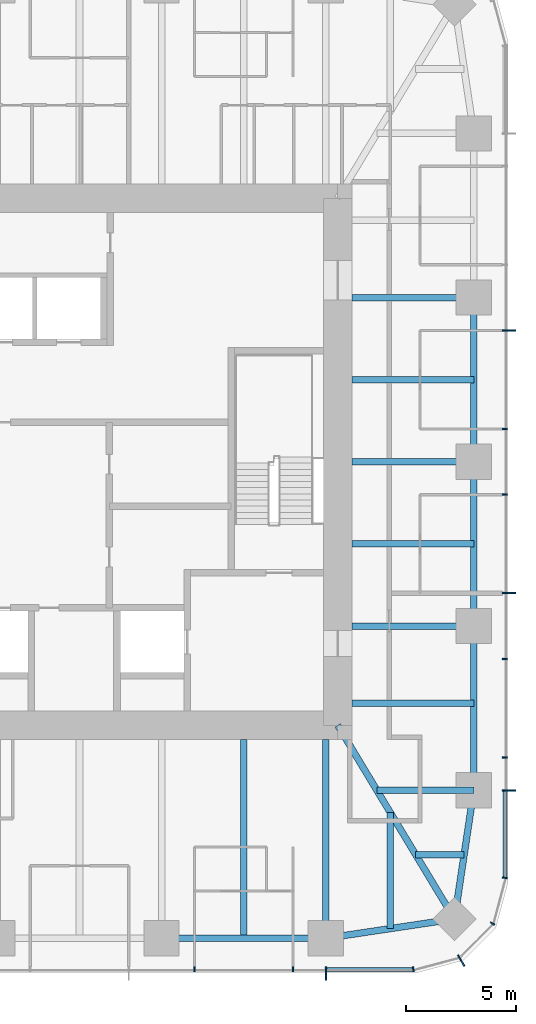
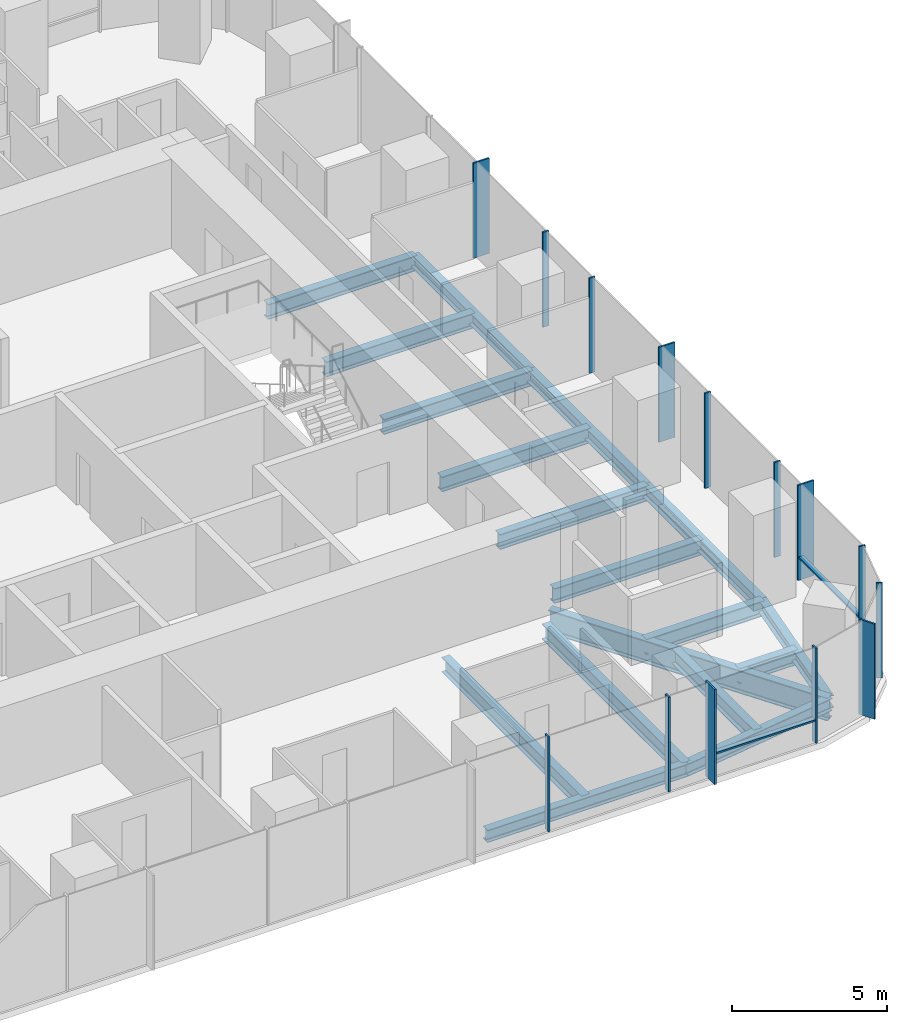
# One storey, part 4 of 12: 18 beams, 16 members, 3 elements without a shape of their own.
"""IFC4 building model written with IfcOpenShell, lengths in metres."""

import ifcopenshell
import ifcopenshell.guid

model = None  # the IFC model being written
_history = None  # IfcOwnerHistory: only IFC2X3 demands one
_inside = {}  # id of a spatial element -> (the spatial element, [elements in it])
_under = {}  # id of a project, library or spatial element -> (it, [spatial elements below it])
_declared = {}  # id of a project -> (the project, [libraries it declares])
_typed = {}  # id of a type object -> (the type object, [elements of that type])
_made_of = {}  # id of a material, layer set ... -> (it, [elements and type objects made of it])


def new_model(schema):
    """Start an empty IFC model of exactly this schema.

    Asked for "IFC4X3", IfcOpenShell would pick the latest addendum, in which some entities
    have other attributes; the version numbers below select the first issue.
    IFC2X3 requires an IfcOwnerHistory on every rooted entity: one is made here for all.
    """
    global model, _history
    if schema == "IFC4X3":
        model = ifcopenshell.file(schema_version=(4, 3, 0, 0))
    else:
        model = ifcopenshell.file(schema=schema)
    _inside.clear()
    _under.clear()
    _declared.clear()
    _typed.clear()
    _made_of.clear()
    _history = None
    if model.schema == "IFC2X3":
        org = make("IfcOrganization", Name="unknown")
        user = make(
            "IfcPersonAndOrganization",
            ThePerson=make("IfcPerson", FamilyName="unknown"),
            TheOrganization=org,
        )
        app = make(
            "IfcApplication",
            ApplicationDeveloper=org,
            Version="unknown",
            ApplicationFullName="unknown",
            ApplicationIdentifier="unknown",
        )
        _history = make(
            "IfcOwnerHistory",
            OwningUser=user,
            OwningApplication=app,
            ChangeAction="ADDED",
            CreationDate=0,
        )
    return model


def make(cls, **values):
    """One entity of the class cls with the attributes given. An attribute that is None is left unset."""
    return model.create_entity(
        cls, **{name: value for name, value in values.items() if value is not None}
    )


def rooted(cls, **values):
    """An entity with a GlobalId (a new one), such as an element, a storey or a relation."""
    return make(cls, GlobalId=ifcopenshell.guid.new(), OwnerHistory=_history, **values)


def si_unit(unit_type, name, prefix=None):
    """IfcSIUnit, for example si_unit("LENGTHUNIT", "METRE", prefix="MILLI")."""
    return make("IfcSIUnit", UnitType=unit_type, Prefix=prefix, Name=name)


def assignment(units):
    """IfcUnitAssignment: the units of a project."""
    return None if units is None else make("IfcUnitAssignment", Units=units)


def point(xyz):
    """IfcCartesianPoint."""
    return None if xyz is None else make("IfcCartesianPoint", Coordinates=xyz)


def direction(xyz):
    """IfcDirection."""
    return None if xyz is None else make("IfcDirection", DirectionRatios=xyz)


def frame(location, z_axis=None, x_axis=None):
    """IfcAxis2Placement3D, a coordinate frame: its origin and axes. An axis left out is left unset."""
    return make(
        "IfcAxis2Placement3D",
        Location=point(location),
        Axis=direction(z_axis),
        RefDirection=direction(x_axis),
    )


def frame_2d(location, x_axis=None):
    """IfcAxis2Placement2D, a coordinate frame in the plane: its origin and x axis."""
    return make(
        "IfcAxis2Placement2D", Location=point(location), RefDirection=direction(x_axis)
    )


def origin():
    """The frame at (0, 0, 0) with its axes left unset."""
    return frame((0.0, 0.0, 0.0))


def origin_2d():
    """The frame at (0, 0) in the plane with its x axis left unset."""
    return frame_2d((0.0, 0.0))


def place(relative_to, where):
    """IfcLocalPlacement: puts the frame where relative to a parent placement (None: the world)."""
    return make(
        "IfcLocalPlacement", PlacementRelTo=relative_to, RelativePlacement=where
    )


def context(
    kind, dimensions, precision=None, world=None, true_north=None, identifier=None
):
    """IfcGeometricRepresentationContext, for example the 3D "Model" context."""
    return make(
        "IfcGeometricRepresentationContext",
        ContextIdentifier=identifier,
        ContextType=kind,
        CoordinateSpaceDimension=dimensions,
        Precision=precision,
        WorldCoordinateSystem=world,
        TrueNorth=true_north,
    )


def subcontext(parent, identifier, kind, view, scale=None):
    """IfcGeometricRepresentationSubContext, for example "Body" below "Model"."""
    return make(
        "IfcGeometricRepresentationSubContext",
        ContextIdentifier=identifier,
        ContextType=kind,
        ParentContext=parent,
        TargetScale=scale,
        TargetView=view,
    )


def project(units=None, contexts=None):
    """IfcProject with its units and contexts."""
    return rooted(
        "IfcProject",
        Name="project",
        RepresentationContexts=contexts,
        UnitsInContext=assignment(units),
    )


def spatial(cls, under=None, at=None, **own):
    """A site, building, storey or space (cls), placed at a placement, below another one or the project."""
    s = rooted(cls, ObjectPlacement=at, **own)
    if under is not None:
        _under.setdefault(under.id(), (under, []))[1].append(s)
    return s


def profile(cls, at=None, kind="AREA", **sizes):
    """A parametric profile (cls). Its sizes go by their IFC names, for example OverallWidth=200.0."""
    return make(cls, ProfileType=kind, Position=at, **sizes)


def rectangle(**sizes):
    """IfcRectangleProfileDef."""
    return profile("IfcRectangleProfileDef", **sizes)


def i_section(**sizes):
    """IfcIShapeProfileDef."""
    return profile("IfcIShapeProfileDef", **sizes)


def extrude(swept, where, along, depth):
    """IfcExtrudedAreaSolid: the profile swept, set in the frame where, extruded along a direction by depth."""
    return make(
        "IfcExtrudedAreaSolid",
        SweptArea=swept,
        Position=where,
        ExtrudedDirection=direction(along),
        Depth=depth,
    )


def shape(context_of_items, identifier, shape_type, items):
    """IfcShapeRepresentation: the items that make up one representation, for example the "Body"."""
    return make(
        "IfcShapeRepresentation",
        ContextOfItems=context_of_items,
        RepresentationIdentifier=identifier,
        RepresentationType=shape_type,
        Items=items,
    )


def material(Name=None, Category=None):
    """IfcMaterial."""
    return make("IfcMaterial", Name=Name, Category=Category)


def material_profile(
    of_material, cross_section, Name=None, Category=None, Priority=None
):
    """IfcMaterialProfile: a cross section and its material."""
    return make(
        "IfcMaterialProfile",
        Name=Name,
        Material=of_material,
        Profile=cross_section,
        Priority=Priority,
        Category=Category,
    )


def profile_set(profiles, Name=None, composite=None):
    """IfcMaterialProfileSet."""
    return make(
        "IfcMaterialProfileSet",
        Name=Name,
        MaterialProfiles=profiles,
        CompositeProfile=composite,
    )


def made_of(thing, what):
    """Note that an element or type object is made of a material, layer set ...; save() writes the relation."""
    if what is not None:
        _made_of.setdefault(what.id(), (what, []))[1].append(thing)
    return thing


def type_object(cls, material=None, **own):
    """A type object (cls), such as IfcWallType, which elements share."""
    return made_of(rooted(cls, **own), material)


def element(
    cls,
    number,
    at=None,
    inside=None,
    cuts=None,
    type_object=None,
    material=None,
    context=None,
    identifier="Body",
    shape_type=None,
    held_by="IfcProductDefinitionShape",
    body=None,
    shapes=None,
    **own,
):
    """One element of the class cls, such as IfcWall. Its Tag is "e" and its number.

    at: its placement. inside: the storey or other place that contains it. cuts: it is an
    opening in that element (IfcRelVoidsElement). A single representation is given by context,
    identifier, shape_type and body (its items); several are given by shapes. held_by: the class
    of the entity that holds the representations. save() writes the other relations.
    """
    e = rooted(cls, Tag="e%d" % number, ObjectPlacement=at, **own)
    if body is not None:
        shapes = [shape(context, identifier, shape_type, body)]
    if shapes is not None:
        e.Representation = make(held_by, Representations=shapes)
    if inside is not None:
        _inside.setdefault(inside.id(), (inside, []))[1].append(e)
    if cuts is not None:
        rooted(
            "IfcRelVoidsElement", RelatingBuildingElement=cuts, RelatedOpeningElement=e
        )
    if type_object is not None:
        _typed.setdefault(type_object.id(), (type_object, []))[1].append(e)
    return made_of(e, material)


def aggregate(whole, parts):
    """IfcRelAggregates: a whole, such as a stair, and the parts it consists of."""
    return rooted("IfcRelAggregates", RelatingObject=whole, RelatedObjects=parts)


def save(model, path):
    """Write the relations noted so far, then the file.

    IfcRelAggregates (storeys below a building ...), IfcRelContainedInSpatialStructure (elements
    in a storey), IfcRelDefinesByType, IfcRelAssociatesMaterial and IfcRelDeclares: one each for
    every whole, place, type object, material and project.
    """
    for whole, parts in _under.values():
        aggregate(whole, parts)
    for where, things in _inside.values():
        rooted(
            "IfcRelContainedInSpatialStructure",
            RelatedElements=things,
            RelatingStructure=where,
        )
    for kind, things in _typed.values():
        rooted("IfcRelDefinesByType", RelatedObjects=things, RelatingType=kind)
    for what, things in _made_of.values():
        rooted("IfcRelAssociatesMaterial", RelatedObjects=things, RelatingMaterial=what)
    for by, libraries in _declared.values():
        rooted("IfcRelDeclares", RelatingContext=by, RelatedDefinitions=libraries)
    model.write(path)


model = new_model("IFC4")

# Units and contexts
model_context = context("Model", 3, precision=1e-05, world=origin(), true_north=direction((0.0, 1.0)))
body_context = subcontext(model_context, "Body", "Model", "MODEL_VIEW")
ifc_project = project(units=[si_unit("LENGTHUNIT", "METRE"), si_unit("AREAUNIT", "SQUARE_METRE"), si_unit("VOLUMEUNIT", "CUBIC_METRE"), si_unit("PLANEANGLEUNIT", "RADIAN"), si_unit("MASSUNIT", "GRAM", prefix="KILO")], contexts=[model_context])

# Site, building, storey
site_placement = place(None, origin())
site = spatial("IfcSite", under=ifc_project, at=site_placement, CompositionType="ELEMENT")
building_placement = place(site_placement, origin())
building = spatial("IfcBuilding", under=site, at=building_placement, Name="Khuree Lantern Residences", CompositionType="ELEMENT")
storey_placement = place(building_placement, frame((0.0, 0.0, 330.75)))
storey = spatial("IfcBuildingStorey", under=building, at=storey_placement, Name="L83", CompositionType="ELEMENT", Elevation=330.75)

# Beams
ifc_material_1 = material(Name="Steel S355", Category="steel")
ifc_material_profile_1 = material_profile(ifc_material_1, i_section(OverallWidth=0.300048828125, OverallDepth=0.590087890625, WebThickness=0.012939453125, FlangeThickness=0.02490234375, FilletRadius=0.027099609375, at=origin_2d()), Name="HE 600 A")
ifc_profile_set_1 = profile_set([ifc_material_profile_1], Name="Steel S355")
beam_type_1 = type_object("IfcBeamType", Name="B-44 SECONDARY BEAM HE 600 A", PredefinedType="BEAM", material=ifc_profile_set_1)
for number, where, z_axis, x_axis, name in (
    (1, (21.699951171875, 3.739990234375, -0.544921875), (-1.0, 0.0, 0.0), (0.0, -1.0, 0.0), "Secondary beam E3"),
    (2, (21.699951171875, -3.739990234375, -0.544921875), (-1.0, 0.0, 0.0), (0.0, -1.0, 0.0), "Secondary beam E4"),
    (3, (21.699951171875, -11.0, -0.544921875), (-1.0, 0.0, 0.0), (0.0, -1.0, 0.0), "Secondary beam E5"),
):
    element("IfcBeam", number, at=place(storey_placement, frame(where, z_axis=z_axis, x_axis=x_axis)), inside=storey, type_object=beam_type_1, Name=name, PredefinedType="BEAM", context=body_context, shape_type="SweptSolid", body=[
        extrude(i_section(OverallWidth=0.300048828125, OverallDepth=0.590087890625, WebThickness=0.012939453125, FlangeThickness=0.02490234375, FilletRadius=0.027099609375, at=origin_2d()), origin(), (0.0, 0.0, 1.0), 5.550048828125),
    ])
beam_1_placement = place(storey_placement, frame((21.2607421875, -17.890625, -0.544921875), z_axis=(-1.0, 0.0, 0.0), x_axis=(0.0, -1.0, 0.0)))
element("IfcBeam", 4, at=beam_1_placement, inside=storey, type_object=beam_type_1, Name="Secondary beam E6", PredefinedType="BEAM", context=body_context, shape_type="SweptSolid", body=[
    extrude(i_section(OverallWidth=0.300048828125, OverallDepth=0.590087890625, WebThickness=0.012939453125, FlangeThickness=0.02490234375, FilletRadius=0.027099609375, at=origin_2d()), origin(), (0.0, 0.0, 1.0), 2.207275390625),
])
beam_2_placement = place(storey_placement, frame((17.890625, -21.2607421875, -0.544921875), z_axis=(0.0, 1.0, 0.0), x_axis=(-1.0, 0.0, 0.0)))
element("IfcBeam", 5, at=beam_2_placement, inside=storey, type_object=beam_type_1, Name="Secondary beam S1", PredefinedType="BEAM", context=body_context, shape_type="SweptSolid", body=[
    extrude(i_section(OverallWidth=0.300048828125, OverallDepth=0.590087890625, WebThickness=0.012939453125, FlangeThickness=0.02490234375, FilletRadius=0.027099609375, at=origin_2d()), origin(), (0.0, 0.0, 1.0), 5.297607421875),
])
beam_3_placement = place(storey_placement, frame((11.219970703125, -21.699951171875, -0.544921875), z_axis=(0.0, 1.0, 0.0), x_axis=(-1.0, 0.0, 0.0)))
element("IfcBeam", 6, at=beam_3_placement, inside=storey, type_object=beam_type_1, Name="Secondary beam S2", PredefinedType="BEAM", context=body_context, shape_type="SweptSolid", body=[
    extrude(i_section(OverallWidth=0.300048828125, OverallDepth=0.590087890625, WebThickness=0.012939453125, FlangeThickness=0.02490234375, FilletRadius=0.027099609375, at=origin_2d()), origin(), (0.0, 0.0, 1.0), 9.050048828125),
])
ifc_material_profile_2 = material_profile(ifc_material_1, i_section(OverallWidth=0.300048828125, OverallDepth=0.489990234375, WebThickness=0.011962890625, FlangeThickness=0.02294921875, FilletRadius=0.027099609375, at=origin_2d()), Name="HE 500 A")
ifc_profile_set_2 = profile_set([ifc_material_profile_2], Name="Steel S355")
beam_type_2 = type_object("IfcBeamType", Name="E-44 SPANDREL BEAM HE 500 A", PredefinedType="SPANDREL", material=ifc_profile_set_2)
for number, where, z_axis, x_axis, name in (
    (7, (21.699951171875, 7.47998046875, -0.4951171875), (0.0, -1.0, 0.0), (1.0, 0.0, 0.0), "Spandrel beam E3"),
    (8, (21.699951171875, 0.0, -0.4951171875), (0.0, -1.0, 0.0), (1.0, 0.0, 0.0), "Spandrel beam E4"),
    (9, (21.699951171875, -7.47998046875, -0.4951171875), (0.0, -1.0, 0.0), (1.0, 0.0, 0.0), "Spandrel beam E5"),
):
    element("IfcBeam", number, at=place(storey_placement, frame(where, z_axis=z_axis, x_axis=x_axis)), inside=storey, type_object=beam_type_2, Name=name, PredefinedType="SPANDREL", context=body_context, shape_type="SweptSolid", body=[
        extrude(i_section(OverallWidth=0.300048828125, OverallDepth=0.489990234375, WebThickness=0.011962890625, FlangeThickness=0.02294921875, FilletRadius=0.027099609375, at=origin_2d()), origin(), (0.0, 0.0, 1.0), 7.47998046875),
    ])
for number, where, z_axis, x_axis, name in (
    (10, (21.699951171875, -14.9599609375, -0.4951171875), (-0.148251822985, -0.988949643299, 0.0), (0.988949643299, -0.148251822985, 0.0), "Spandrel beam E6"),
    (11, (20.8212890625, -20.8212890625, -0.4951171875), (-0.988949643299, -0.148251822985, 0.0), (0.148251822985, -0.988949643299, 0.0), "Spandrel beam S1"),
):
    element("IfcBeam", number, at=place(storey_placement, frame(where, z_axis=z_axis, x_axis=x_axis)), inside=storey, type_object=beam_type_2, Name=name, PredefinedType="SPANDREL", context=body_context, shape_type="SweptSolid", body=[
        extrude(i_section(OverallWidth=0.300048828125, OverallDepth=0.489990234375, WebThickness=0.011962890625, FlangeThickness=0.02294921875, FilletRadius=0.027099609375, at=origin_2d()), origin(), (0.0, 0.0, 1.0), 5.9267578125),
    ])
beam_4_placement = place(storey_placement, frame((14.9599609375, -21.699951171875, -0.4951171875), z_axis=(-1.0, 0.0, 0.0), x_axis=(0.0, -1.0, 0.0)))
element("IfcBeam", 12, at=beam_4_placement, inside=storey, type_object=beam_type_2, Name="Spandrel beam S2", PredefinedType="SPANDREL", context=body_context, shape_type="SweptSolid", body=[
    extrude(i_section(OverallWidth=0.300048828125, OverallDepth=0.489990234375, WebThickness=0.011962890625, FlangeThickness=0.02294921875, FilletRadius=0.027099609375, at=origin_2d()), origin(), (0.0, 0.0, 1.0), 7.47998046875),
])

# Curtain wall, member
ifc_material_2 = material(Name="Bronze anodised aluminium", Category="aluminium")
curtain_wall_type_1 = type_object("IfcCurtainWallType", Name="CW-T2 TOWER CORNER CURTAIN WALL", PredefinedType="USERDEFINED", material=ifc_material_2)
curtain_wall_1_placement = place(storey_placement, origin())
curtain_wall_1 = element("IfcCurtainWall", 13, at=curtain_wall_1_placement, inside=storey, type_object=curtain_wall_type_1, Name="L83 SOUTH-EAST CORNER CURTAIN WALL", ObjectType="Faceted corner curtain wall", PredefinedType="USERDEFINED")
ifc_material_profile_3 = material_profile(ifc_material_2, rectangle(XDim=0.06494140625, YDim=0.60009765625, at=origin_2d()), Name="F1 65X600")
ifc_profile_set_3 = profile_set([ifc_material_profile_3], Name="Bronze anodised aluminium")
member_type_1 = type_object("IfcMemberType", Name="F1 BRONZE FIN MULLION TOWER 65X600", PredefinedType="MULLION", material=ifc_profile_set_3)
member_1_placement = place(storey_placement, frame((21.125, -22.71728515625, 0.0), z_axis=(0.0, 0.0, 1.0), x_axis=(0.866025437565, 0.49999994149, 0.0)))
member_1 = element("IfcMember", 14, at=member_1_placement, type_object=member_type_1, Name="L83 SOUTH-EAST CORNER FIN MULLION 2", PredefinedType="MULLION", context=body_context, shape_type="SweptSolid", body=[
    extrude(rectangle(XDim=0.06494140625, YDim=0.60009765625, at=origin_2d()), origin(), (0.0, 0.0, 1.0), 3.75),
])

# Curtain wall, members
curtain_wall_type_2 = type_object("IfcCurtainWallType", Name="CW-T1 TOWER FACE CURTAIN WALL", PredefinedType="USERDEFINED", material=ifc_material_2)
curtain_wall_2_placement = place(storey_placement, origin())
curtain_wall_2 = element("IfcCurtainWall", 15, at=curtain_wall_2_placement, inside=storey, type_object=curtain_wall_type_2, Name="L83 EAST FACE CURTAIN WALL", ObjectType="Stick-built curtain wall", PredefinedType="USERDEFINED")
member_2_placement = place(storey_placement, frame((23.300048828125, -14.9599609375, 0.0), z_axis=(0.0, 0.0, 1.0), x_axis=(0.0, 1.0, 0.0)))
member_2 = element("IfcMember", 16, at=member_2_placement, type_object=member_type_1, Name="L83 EAST FACE FIN MULLION 5", PredefinedType="MULLION", context=body_context, shape_type="SweptSolid", body=[
    extrude(rectangle(XDim=0.06494140625, YDim=0.60009765625, at=origin_2d()), origin(), (0.0, 0.0, 1.0), 3.75),
])
member_3_placement = place(storey_placement, frame((23.300048828125, -5.98388671875, 0.0), z_axis=(0.0, 0.0, 1.0), x_axis=(0.0, 1.0, 0.0)))
member_3 = element("IfcMember", 17, at=member_3_placement, type_object=member_type_1, Name="L83 EAST FACE FIN MULLION 8", PredefinedType="MULLION", context=body_context, shape_type="SweptSolid", body=[
    extrude(rectangle(XDim=0.06494140625, YDim=0.60009765625, at=origin_2d()), origin(), (0.0, 0.0, 1.0), 3.75),
])
member_4_placement = place(storey_placement, frame((23.300048828125, 5.98388671875, 0.0), z_axis=(0.0, 0.0, 1.0), x_axis=(0.0, 1.0, 0.0)))
member_4 = element("IfcMember", 18, at=member_4_placement, type_object=member_type_1, Name="L83 EAST FACE FIN MULLION 11", PredefinedType="MULLION", context=body_context, shape_type="SweptSolid", body=[
    extrude(rectangle(XDim=0.06494140625, YDim=0.60009765625, at=origin_2d()), origin(), (0.0, 0.0, 1.0), 3.75),
])

# Curtain wall, member
curtain_wall_3_placement = place(storey_placement, origin())
curtain_wall_3 = element("IfcCurtainWall", 19, at=curtain_wall_3_placement, inside=storey, type_object=curtain_wall_type_2, Name="L83 SOUTH FACE CURTAIN WALL", ObjectType="Stick-built curtain wall", PredefinedType="USERDEFINED")
member_5_placement = place(storey_placement, frame((14.9599609375, -23.300048828125, 0.0), z_axis=(0.0, 0.0, 1.0), x_axis=(1.0, 0.0, 0.0)))
member_5 = element("IfcMember", 20, at=member_5_placement, type_object=member_type_1, Name="L83 SOUTH FACE FIN MULLION 56", PredefinedType="MULLION", context=body_context, shape_type="SweptSolid", body=[
    extrude(rectangle(XDim=0.06494140625, YDim=0.60009765625, at=origin_2d()), origin(), (0.0, 0.0, 1.0), 3.75),
])

# Beams
ifc_material_profile_4 = material_profile(ifc_material_1, i_section(OverallWidth=0.300048828125, OverallDepth=0.60009765625, WebThickness=0.015380859375, FlangeThickness=0.030029296875, FilletRadius=0.027099609375, at=origin_2d()), Name="HE 600 B")
ifc_profile_set_4 = profile_set([ifc_material_profile_4], Name="Steel S355")
beam_type_3 = type_object("IfcBeamType", Name="G-44 GIRDER HE 600 B", PredefinedType="BEAM", material=ifc_profile_set_4)
for number, where, z_axis, x_axis, name in (
    (21, (21.699951171875, 7.47998046875, -0.550048828125), (-1.0, 0.0, 0.0), (0.0, -1.0, 0.0), "Girder E2"),
    (22, (21.699951171875, 0.0, -0.550048828125), (-1.0, 0.0, 0.0), (0.0, -1.0, 0.0), "Girder E3"),
    (23, (21.699951171875, -7.47998046875, -0.550048828125), (-1.0, 0.0, 0.0), (0.0, -1.0, 0.0), "Girder E4"),
):
    element("IfcBeam", number, at=place(storey_placement, frame(where, z_axis=z_axis, x_axis=x_axis)), inside=storey, type_object=beam_type_3, Name=name, PredefinedType="BEAM", context=body_context, shape_type="SweptSolid", body=[
        extrude(i_section(OverallWidth=0.300048828125, OverallDepth=0.60009765625, WebThickness=0.015380859375, FlangeThickness=0.030029296875, FilletRadius=0.027099609375, at=origin_2d()), origin(), (0.0, 0.0, 1.0), 5.550048828125),
    ])
beam_5_placement = place(storey_placement, frame((21.699951171875, -14.9599609375, -0.550048828125), z_axis=(-1.0, 0.0, 0.0), x_axis=(0.0, -1.0, 0.0)))
element("IfcBeam", 24, at=beam_5_placement, inside=storey, type_object=beam_type_3, Name="Girder E5", PredefinedType="BEAM", context=body_context, shape_type="SweptSolid", body=[
    extrude(i_section(OverallWidth=0.300048828125, OverallDepth=0.60009765625, WebThickness=0.015380859375, FlangeThickness=0.030029296875, FilletRadius=0.027099609375, at=origin_2d()), origin(), (0.0, 0.0, 1.0), 4.414306640625),
])
beam_6_placement = place(storey_placement, frame((14.9599609375, -21.699951171875, -0.550048828125), z_axis=(0.0, 1.0, 0.0), x_axis=(-1.0, 0.0, 0.0)))
element("IfcBeam", 25, at=beam_6_placement, inside=storey, type_object=beam_type_3, Name="Girder S1", PredefinedType="BEAM", context=body_context, shape_type="SweptSolid", body=[
    extrude(i_section(OverallWidth=0.300048828125, OverallDepth=0.60009765625, WebThickness=0.015380859375, FlangeThickness=0.030029296875, FilletRadius=0.027099609375, at=origin_2d()), origin(), (0.0, 0.0, 1.0), 9.050048828125),
])
ifc_material_profile_5 = material_profile(ifc_material_1, i_section(OverallWidth=0.300048828125, OverallDepth=0.89990234375, WebThickness=0.0185546875, FlangeThickness=0.034912109375, FilletRadius=0.030029296875, at=origin_2d()), Name="HE 900 B")
ifc_profile_set_5 = profile_set([ifc_material_profile_5], Name="Steel S355")
beam_type_4 = type_object("IfcBeamType", Name="GD-44 CORNER GIRDER HE 900 B", PredefinedType="BEAM", material=ifc_profile_set_5)
beam_7_placement = place(storey_placement, frame((20.8212890625, -20.8212890625, -0.699951171875), z_axis=(-0.516529577604, 0.856269347495, 0.0), x_axis=(-0.856269347495, -0.516529577604, 0.0)))
element("IfcBeam", 26, at=beam_7_placement, inside=storey, type_object=beam_type_4, Name="Corner girder SE", PredefinedType="BEAM", context=body_context, shape_type="SweptSolid", body=[
    extrude(i_section(OverallWidth=0.300048828125, OverallDepth=0.89990234375, WebThickness=0.0185546875, FlangeThickness=0.034912109375, FilletRadius=0.030029296875, at=origin_2d()), origin(), (0.0, 0.0, 1.0), 10.302001953125),
])

# Member
ifc_material_profile_6 = material_profile(ifc_material_2, rectangle(XDim=0.06494140625, YDim=0.219970703125, at=origin_2d()), Name="M1 65X220")
ifc_profile_set_6 = profile_set([ifc_material_profile_6], Name="Bronze anodised aluminium")
member_type_2 = type_object("IfcMemberType", Name="M1 BRONZE MULLION TOWER 65X220", PredefinedType="MULLION", material=ifc_profile_set_6)
member_6_placement = place(storey_placement, frame((18.945068359375, -23.11181640625, 0.0), z_axis=(0.0, 0.0, 1.0), x_axis=(0.991444870192, 0.130526125236, 0.0)))
member_6 = element("IfcMember", 27, at=member_6_placement, type_object=member_type_2, Name="L83 SOUTH-EAST CORNER MULLION 1", PredefinedType="MULLION", context=body_context, shape_type="SweptSolid", body=[
    extrude(rectangle(XDim=0.06494140625, YDim=0.219970703125, at=origin_2d()), origin(), (0.0, 0.0, 1.0), 3.75),
])

member_7_placement = place(storey_placement, frame((22.552734375, -21.030029296875, 0.0), z_axis=(0.0, 0.0, 1.0), x_axis=(0.49999994149, 0.866025437565, 0.0)))
member_7 = element("IfcMember", 28, at=member_7_placement, type_object=member_type_2, Name="L83 SOUTH-EAST CORNER MULLION 3", PredefinedType="MULLION", context=body_context, shape_type="SweptSolid", body=[
    extrude(rectangle(XDim=0.06494140625, YDim=0.219970703125, at=origin_2d()), origin(), (0.0, 0.0, 1.0), 3.75),
])

aggregate(curtain_wall_1, [member_6, member_1, member_7])

member_8_placement = place(storey_placement, frame((23.11181640625, -18.945068359375, 0.0), z_axis=(0.0, 0.0, 1.0), x_axis=(0.130526125236, 0.991444870192, 0.0)))
member_8 = element("IfcMember", 29, at=member_8_placement, type_object=member_type_2, Name="L83 EAST FACE MULLION 4", PredefinedType="MULLION", context=body_context, shape_type="SweptSolid", body=[
    extrude(rectangle(XDim=0.06494140625, YDim=0.219970703125, at=origin_2d()), origin(), (0.0, 0.0, 1.0), 3.75),
])

member_9_placement = place(storey_placement, frame((23.110107421875, -13.464111328125, 0.0), z_axis=(0.0, 0.0, 1.0), x_axis=(0.0, 1.0, 0.0)))
member_9 = element("IfcMember", 30, at=member_9_placement, type_object=member_type_2, Name="L83 EAST FACE MULLION 6", PredefinedType="MULLION", context=body_context, shape_type="SweptSolid", body=[
    extrude(rectangle(XDim=0.06494140625, YDim=0.219970703125, at=origin_2d()), origin(), (0.0, 0.0, 1.0), 3.75),
])

member_10_placement = place(storey_placement, frame((23.110107421875, -8.97607421875, 0.0), z_axis=(0.0, 0.0, 1.0), x_axis=(0.0, 1.0, 0.0)))
member_10 = element("IfcMember", 31, at=member_10_placement, type_object=member_type_2, Name="L83 EAST FACE MULLION 7", PredefinedType="MULLION", context=body_context, shape_type="SweptSolid", body=[
    extrude(rectangle(XDim=0.06494140625, YDim=0.219970703125, at=origin_2d()), origin(), (0.0, 0.0, 1.0), 3.75),
])

member_11_placement = place(storey_placement, frame((23.110107421875, -1.49609375, 0.0), z_axis=(0.0, 0.0, 1.0), x_axis=(0.0, 1.0, 0.0)))
member_11 = element("IfcMember", 32, at=member_11_placement, type_object=member_type_2, Name="L83 EAST FACE MULLION 9", PredefinedType="MULLION", context=body_context, shape_type="SweptSolid", body=[
    extrude(rectangle(XDim=0.06494140625, YDim=0.219970703125, at=origin_2d()), origin(), (0.0, 0.0, 1.0), 3.75),
])

member_12_placement = place(storey_placement, frame((23.110107421875, 1.49609375, 0.0), z_axis=(0.0, 0.0, 1.0), x_axis=(0.0, 1.0, 0.0)))
member_12 = element("IfcMember", 33, at=member_12_placement, type_object=member_type_2, Name="L83 EAST FACE MULLION 10", PredefinedType="MULLION", context=body_context, shape_type="SweptSolid", body=[
    extrude(rectangle(XDim=0.06494140625, YDim=0.219970703125, at=origin_2d()), origin(), (0.0, 0.0, 1.0), 3.75),
])

member_13_placement = place(storey_placement, frame((8.97607421875, -23.110107421875, 0.0), z_axis=(0.0, 0.0, 1.0), x_axis=(1.0, 0.0, 0.0)))
member_13 = element("IfcMember", 34, at=member_13_placement, type_object=member_type_2, Name="L83 SOUTH FACE MULLION 54", PredefinedType="MULLION", context=body_context, shape_type="SweptSolid", body=[
    extrude(rectangle(XDim=0.06494140625, YDim=0.219970703125, at=origin_2d()), origin(), (0.0, 0.0, 1.0), 3.75),
])

member_14_placement = place(storey_placement, frame((13.464111328125, -23.110107421875, 0.0), z_axis=(0.0, 0.0, 1.0), x_axis=(1.0, 0.0, 0.0)))
member_14 = element("IfcMember", 35, at=member_14_placement, type_object=member_type_2, Name="L83 SOUTH FACE MULLION 55", PredefinedType="MULLION", context=body_context, shape_type="SweptSolid", body=[
    extrude(rectangle(XDim=0.06494140625, YDim=0.219970703125, at=origin_2d()), origin(), (0.0, 0.0, 1.0), 3.75),
])

ifc_material_profile_7 = material_profile(ifc_material_2, rectangle(XDim=0.179931640625, YDim=0.06494140625, at=origin_2d()), Name="T1 180X65")
ifc_profile_set_7 = profile_set([ifc_material_profile_7], Name="Bronze anodised aluminium")
member_type_3 = type_object("IfcMemberType", Name="TRANSOM T1 TOWER 180X65", PredefinedType="USERDEFINED", material=ifc_profile_set_7)
member_15_placement = place(storey_placement, frame((23.1201171875, -18.9013671875, 0.89990234375), z_axis=(0.0, 1.0, 0.0), x_axis=(-1.0, 0.0, 0.0)))
member_15 = element("IfcMember", 36, at=member_15_placement, type_object=member_type_3, Name="L83 EAST FACE TRANSOM 4.1", ObjectType="Transom", PredefinedType="USERDEFINED", context=body_context, shape_type="SweptSolid", body=[
    extrude(rectangle(XDim=0.179931640625, YDim=0.06494140625, at=origin_2d()), origin(), (0.0, 0.0, 1.0), 3.908935546875),
])

aggregate(curtain_wall_2, [member_8, member_2, member_9, member_10, member_3, member_11, member_12, member_4, member_15])

member_16_placement = place(storey_placement, frame((14.992431640625, -23.1201171875, 0.89990234375), z_axis=(1.0, 0.0, 0.0), x_axis=(0.0, 1.0, 0.0)))
member_16 = element("IfcMember", 37, at=member_16_placement, type_object=member_type_3, Name="L83 SOUTH FACE TRANSOM 56.1", ObjectType="Transom", PredefinedType="USERDEFINED", context=body_context, shape_type="SweptSolid", body=[
    extrude(rectangle(XDim=0.179931640625, YDim=0.06494140625, at=origin_2d()), origin(), (0.0, 0.0, 1.0), 3.908935546875),
])

aggregate(curtain_wall_3, [member_13, member_14, member_5, member_16])

save(model, "model.ifc")
